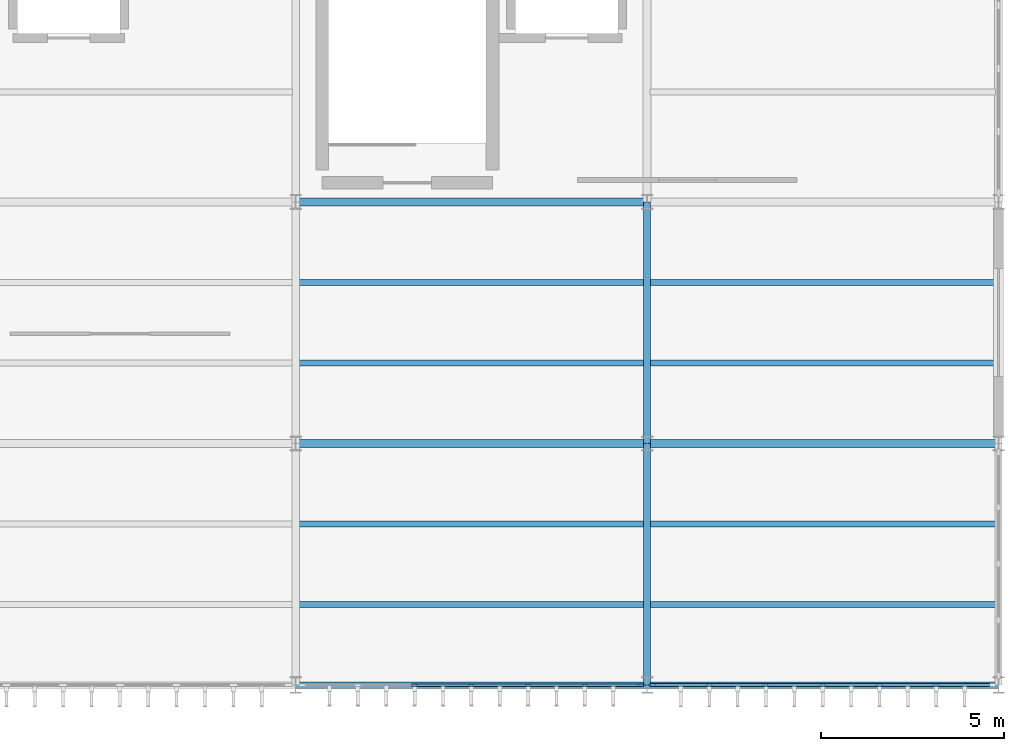
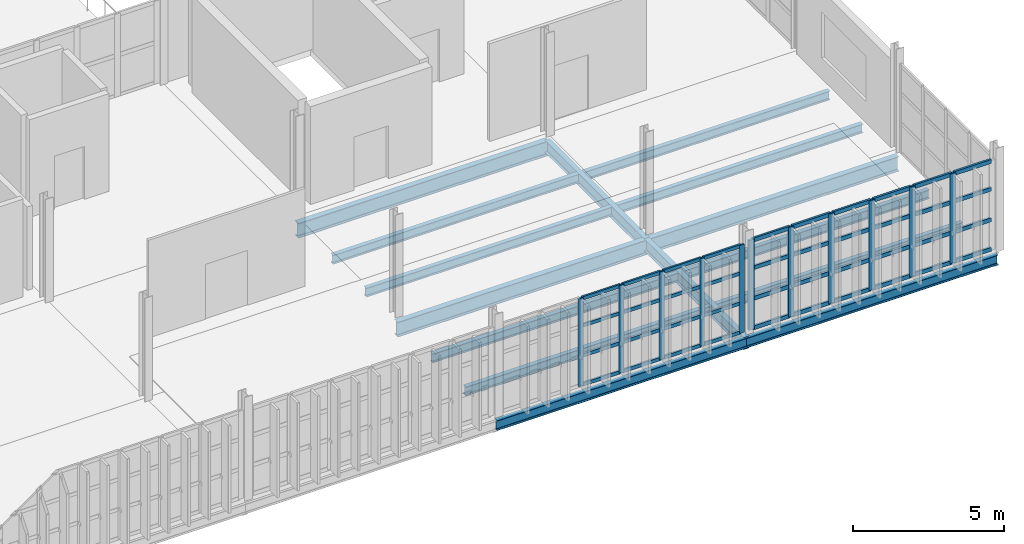
# One storey, part 8 of 38: 51 members, 15 beams, 2 elements without a shape of their own.
"""IFC4 building model written with IfcOpenShell, lengths in metres."""

from ifc_helpers import new_model, si_unit, direction, frame, origin, origin_2d, place, context, subcontext, project, spatial, rectangle, i_section, extrude, material, layer, layer_set, material_profile, profile_set, type_object, element, aggregate, save


model = new_model("IFC4")

# Units and contexts
model_context = context("Model", 3, precision=1e-05, world=origin(), true_north=direction((0.0, 1.0)))
body_context = subcontext(model_context, "Body", "Model", "MODEL_VIEW")
ifc_project = project(units=[si_unit("LENGTHUNIT", "METRE"), si_unit("AREAUNIT", "SQUARE_METRE"), si_unit("VOLUMEUNIT", "CUBIC_METRE"), si_unit("PLANEANGLEUNIT", "RADIAN"), si_unit("MASSUNIT", "GRAM", prefix="KILO")], contexts=[model_context])

# Site, building, storey
site_placement = place(None, origin())
site = spatial("IfcSite", under=ifc_project, at=site_placement, CompositionType="ELEMENT")
building_placement = place(site_placement, origin())
building = spatial("IfcBuilding", under=site, at=building_placement, Name="Zarnetskaya Central Station", CompositionType="ELEMENT")
storey_placement = place(building_placement, frame((0.0, 0.0, 18.60009765625)))
storey = spatial("IfcBuildingStorey", under=building, at=storey_placement, Name="L04", CompositionType="ELEMENT", Elevation=18.60009765625)

# Beams
ifc_material_1 = material(Name="Steel S355", Category="steel")
ifc_material_profile_1 = material_profile(ifc_material_1, i_section(OverallWidth=0.169921875, OverallDepth=0.360107421875, WebThickness=0.008056640625, FlangeThickness=0.0126953125, FilletRadius=0.01806640625, at=origin_2d()), Name="IPE 360")
ifc_profile_set_1 = profile_set([ifc_material_profile_1], Name="Steel S355")
beam_type_1 = type_object("IfcBeamType", Name="BM-SEC-360", PredefinedType="BEAM", material=ifc_profile_set_1)
for number, where, z_axis, x_axis, name in (
    (1, (28.8798828125, 2.199951171875, -0.420166015625), (1.0, 0.0, 0.0), (0.0, 1.0, 0.0), "Secondary floor beam SEC-L04-Z1836-DE-12-1"),
    (2, (28.8798828125, 4.39990234375, -0.420166015625), (1.0, 0.0, 0.0), (0.0, 1.0, 0.0), "Secondary floor beam SEC-L04-Z1836-DE-12-2"),
    (3, (28.8798828125, 8.800048828125, -0.420166015625), (1.0, 0.0, 0.0), (0.0, 1.0, 0.0), "Secondary floor beam SEC-L04-Z1836-DE-23-1"),
    (4, (28.8798828125, 11.0, -0.420166015625), (1.0, 0.0, 0.0), (0.0, 1.0, 0.0), "Secondary floor beam SEC-L04-Z1836-DE-23-2"),
):
    element("IfcBeam", number, at=place(storey_placement, frame(where, z_axis=z_axis, x_axis=x_axis)), inside=storey, type_object=beam_type_1, Name=name, PredefinedType="BEAM", context=body_context, shape_type="SweptSolid", body=[
        extrude(i_section(OverallWidth=0.169921875, OverallDepth=0.360107421875, WebThickness=0.008056640625, FlangeThickness=0.0126953125, FilletRadius=0.01806640625, at=origin_2d()), origin(), (0.0, 0.0, 1.0), 9.440185546875),
    ])
for number, where, z_axis, x_axis, name in (
    (5, (38.47998046875, 2.199951171875, -0.420166015625), (1.0, 0.0, 0.0), (0.0, 1.0, 0.0), "Secondary floor beam SEC-L04-Z1836-EF-12-1"),
    (6, (38.47998046875, 4.39990234375, -0.420166015625), (1.0, 0.0, 0.0), (0.0, 1.0, 0.0), "Secondary floor beam SEC-L04-Z1836-EF-12-2"),
    (7, (38.47998046875, 8.800048828125, -0.420166015625), (1.0, 0.0, 0.0), (0.0, 1.0, 0.0), "Secondary floor beam SEC-L04-Z1836-EF-23-1"),
    (8, (38.47998046875, 11.0, -0.420166015625), (1.0, 0.0, 0.0), (0.0, 1.0, 0.0), "Secondary floor beam SEC-L04-Z1836-EF-23-2"),
):
    element("IfcBeam", number, at=place(storey_placement, frame(where, z_axis=z_axis, x_axis=x_axis)), inside=storey, type_object=beam_type_1, Name=name, PredefinedType="BEAM", context=body_context, shape_type="SweptSolid", body=[
        extrude(i_section(OverallWidth=0.169921875, OverallDepth=0.360107421875, WebThickness=0.008056640625, FlangeThickness=0.0126953125, FilletRadius=0.01806640625, at=origin_2d()), origin(), (0.0, 0.0, 1.0), 9.43994140625),
    ])
ifc_material_profile_2 = material_profile(ifc_material_1, i_section(OverallWidth=0.179931640625, OverallDepth=0.39990234375, WebThickness=0.008544921875, FlangeThickness=0.013427734375, FilletRadius=0.02099609375, at=origin_2d()), Name="IPE 400")
ifc_profile_set_2 = profile_set([ifc_material_profile_2], Name="Steel S355")
beam_type_2 = type_object("IfcBeamType", Name="BM-SPN-V5", PredefinedType="SPANDREL", material=ifc_profile_set_2)
beam_1_placement = place(storey_placement, frame((28.800048828125, 0.0, -0.440185546875), z_axis=(1.0, 0.0, 0.0), x_axis=(0.0, 1.0, 0.0)))
element("IfcBeam", 9, at=beam_1_placement, inside=storey, type_object=beam_type_2, Name="Grid girder GX-L04-1-DE", PredefinedType="SPANDREL", context=body_context, shape_type="SweptSolid", body=[
    extrude(i_section(OverallWidth=0.179931640625, OverallDepth=0.39990234375, WebThickness=0.008544921875, FlangeThickness=0.013427734375, FilletRadius=0.02099609375, at=origin_2d()), origin(), (0.0, 0.0, 1.0), 9.599853515625),
])
beam_2_placement = place(storey_placement, frame((38.39990234375, 0.0, -0.440185546875), z_axis=(1.0, 0.0, 0.0), x_axis=(0.0, 1.0, 0.0)))
element("IfcBeam", 10, at=beam_2_placement, inside=storey, type_object=beam_type_2, Name="Grid girder GX-L04-1-EF", PredefinedType="SPANDREL", context=body_context, shape_type="SweptSolid", body=[
    extrude(i_section(OverallWidth=0.179931640625, OverallDepth=0.39990234375, WebThickness=0.008544921875, FlangeThickness=0.013427734375, FilletRadius=0.02099609375, at=origin_2d()), origin(), (0.0, 0.0, 1.0), 9.60009765625),
])

# Curtain wall, members
ifc_material_2 = material(Name="Low-E insulated glass", Category="glass")
ifc_layer_1 = layer(ifc_material_2, 0.1640625, Name="Low-E insulated glass", Category="glass")
ifc_layer_set_1 = layer_set([ifc_layer_1], Name="Low-E insulated glass")
curtain_wall_type_1 = type_object("IfcCurtainWallType", Name="CW-SYS-07", PredefinedType="USERDEFINED", material=ifc_layer_set_1)
curtain_wall_1_placement = place(storey_placement, origin())
curtain_wall_1 = element("IfcCurtainWall", 11, at=curtain_wall_1_placement, inside=storey, type_object=curtain_wall_type_1, Name="Curtain wall CW-L04-059", ObjectType="CURTAIN WALL", PredefinedType="USERDEFINED")
ifc_material_3 = material(Name="Anodised aluminium", Category="aluminium")
ifc_material_profile_3 = material_profile(ifc_material_3, rectangle(XDim=0.070068359375, YDim=0.179931640625, at=origin_2d()), Name="ALU MULL 70x180")
ifc_profile_set_3 = profile_set([ifc_material_profile_3], Name="Anodised aluminium")
member_type_1 = type_object("IfcMemberType", Name="CW-MULL-180", PredefinedType="MULLION", material=ifc_profile_set_3)
member_1_placement = place(storey_placement, frame((38.215087890625, 0.0, 0.0), z_axis=(0.0, 0.0, 1.0), x_axis=(0.0, -1.0, 0.0)))
member_1 = element("IfcMember", 12, at=member_1_placement, type_object=member_type_1, Name="CW-06 mullion 1", PredefinedType="MULLION", context=body_context, shape_type="SweptSolid", body=[
    extrude(rectangle(XDim=0.070068359375, YDim=0.179931640625, at=origin_2d()), origin(), (0.0, 0.0, 1.0), 3.559814453125),
])
member_2_placement = place(storey_placement, frame((36.699951171875, 0.0, 0.0), z_axis=(0.0, 0.0, 1.0), x_axis=(0.0, -1.0, 0.0)))
member_2 = element("IfcMember", 13, at=member_2_placement, type_object=member_type_1, Name="CW-06 mullion 2", PredefinedType="MULLION", context=body_context, shape_type="SweptSolid", body=[
    extrude(rectangle(XDim=0.070068359375, YDim=0.179931640625, at=origin_2d()), origin(), (0.0, 0.0, 1.0), 3.559814453125),
])
member_3_placement = place(storey_placement, frame((35.14990234375, 0.0, 0.0), z_axis=(0.0, 0.0, 1.0), x_axis=(0.0, -1.0, 0.0)))
member_3 = element("IfcMember", 14, at=member_3_placement, type_object=member_type_1, Name="CW-06 mullion 3", PredefinedType="MULLION", context=body_context, shape_type="SweptSolid", body=[
    extrude(rectangle(XDim=0.070068359375, YDim=0.179931640625, at=origin_2d()), origin(), (0.0, 0.0, 1.0), 3.559814453125),
])
member_4_placement = place(storey_placement, frame((33.60009765625, 0.0, 0.0), z_axis=(0.0, 0.0, 1.0), x_axis=(0.0, -1.0, 0.0)))
member_4 = element("IfcMember", 15, at=member_4_placement, type_object=member_type_1, Name="CW-06 mullion 4", PredefinedType="MULLION", context=body_context, shape_type="SweptSolid", body=[
    extrude(rectangle(XDim=0.070068359375, YDim=0.179931640625, at=origin_2d()), origin(), (0.0, 0.0, 1.0), 3.559814453125),
])
member_5_placement = place(storey_placement, frame((32.050048828125, 0.0, 0.0), z_axis=(0.0, 0.0, 1.0), x_axis=(0.0, -1.0, 0.0)))
member_5 = element("IfcMember", 16, at=member_5_placement, type_object=member_type_1, Name="CW-06 mullion 5", PredefinedType="MULLION", context=body_context, shape_type="SweptSolid", body=[
    extrude(rectangle(XDim=0.070068359375, YDim=0.179931640625, at=origin_2d()), origin(), (0.0, 0.0, 1.0), 3.559814453125),
])

ifc_layer_2 = layer(ifc_material_2, 0.159912109375, Name="Low-E insulated glass", Category="glass")
ifc_layer_set_2 = layer_set([ifc_layer_2], Name="Low-E insulated glass")
curtain_wall_type_2 = type_object("IfcCurtainWallType", Name="CW-SYS-06", PredefinedType="USERDEFINED", material=ifc_layer_set_2)
curtain_wall_2_placement = place(storey_placement, origin())
curtain_wall_2 = element("IfcCurtainWall", 17, at=curtain_wall_2_placement, inside=storey, type_object=curtain_wall_type_2, Name="Curtain wall CW-L04-058", ObjectType="CURTAIN WALL", PredefinedType="USERDEFINED")
ifc_material_profile_4 = material_profile(ifc_material_3, rectangle(XDim=0.080078125, YDim=0.219970703125, at=origin_2d()), Name="ALU MULL 80x220")
ifc_profile_set_4 = profile_set([ifc_material_profile_4], Name="Anodised aluminium")
member_type_2 = type_object("IfcMemberType", Name="CW-MULL-220", PredefinedType="MULLION", material=ifc_profile_set_4)
member_6_placement = place(storey_placement, frame((46.300048828125, 0.0, 0.0), z_axis=(0.0, 0.0, 1.0), x_axis=(0.0, -1.0, 0.0)))
member_6 = element("IfcMember", 18, at=member_6_placement, type_object=member_type_2, Name="CW-02 mullion 2", PredefinedType="MULLION", context=body_context, shape_type="SweptSolid", body=[
    extrude(rectangle(XDim=0.080078125, YDim=0.219970703125, at=origin_2d()), origin(), (0.0, 0.0, 1.0), 3.639892578125),
])
member_7_placement = place(storey_placement, frame((44.75, 0.0, 0.0), z_axis=(0.0, 0.0, 1.0), x_axis=(0.0, -1.0, 0.0)))
member_7 = element("IfcMember", 19, at=member_7_placement, type_object=member_type_2, Name="CW-02 mullion 3", PredefinedType="MULLION", context=body_context, shape_type="SweptSolid", body=[
    extrude(rectangle(XDim=0.080078125, YDim=0.219970703125, at=origin_2d()), origin(), (0.0, 0.0, 1.0), 3.639892578125),
])
member_8_placement = place(storey_placement, frame((43.199951171875, 0.0, 0.0), z_axis=(0.0, 0.0, 1.0), x_axis=(0.0, -1.0, 0.0)))
member_8 = element("IfcMember", 20, at=member_8_placement, type_object=member_type_2, Name="CW-02 mullion 4", PredefinedType="MULLION", context=body_context, shape_type="SweptSolid", body=[
    extrude(rectangle(XDim=0.080078125, YDim=0.219970703125, at=origin_2d()), origin(), (0.0, 0.0, 1.0), 3.639892578125),
])
member_9_placement = place(storey_placement, frame((41.64990234375, 0.0, 0.0), z_axis=(0.0, 0.0, 1.0), x_axis=(0.0, -1.0, 0.0)))
member_9 = element("IfcMember", 21, at=member_9_placement, type_object=member_type_2, Name="CW-02 mullion 5", PredefinedType="MULLION", context=body_context, shape_type="SweptSolid", body=[
    extrude(rectangle(XDim=0.080078125, YDim=0.219970703125, at=origin_2d()), origin(), (0.0, 0.0, 1.0), 3.639892578125),
])
member_10_placement = place(storey_placement, frame((40.10009765625, 0.0, 0.0), z_axis=(0.0, 0.0, 1.0), x_axis=(0.0, -1.0, 0.0)))
member_10 = element("IfcMember", 22, at=member_10_placement, type_object=member_type_2, Name="CW-02 mullion 6", PredefinedType="MULLION", context=body_context, shape_type="SweptSolid", body=[
    extrude(rectangle(XDim=0.080078125, YDim=0.219970703125, at=origin_2d()), origin(), (0.0, 0.0, 1.0), 3.639892578125),
])
member_11_placement = place(storey_placement, frame((38.590087890625, 0.0, 0.0), z_axis=(0.0, 0.0, 1.0), x_axis=(0.0, -1.0, 0.0)))
member_11 = element("IfcMember", 23, at=member_11_placement, type_object=member_type_2, Name="CW-02 mullion 7", PredefinedType="MULLION", context=body_context, shape_type="SweptSolid", body=[
    extrude(rectangle(XDim=0.080078125, YDim=0.219970703125, at=origin_2d()), origin(), (0.0, 0.0, 1.0), 3.639892578125),
])

# Member
ifc_material_profile_5 = material_profile(ifc_material_3, rectangle(XDim=0.070068359375, YDim=0.139892578125, at=origin_2d()), Name="ALU TRAN 70x140")
ifc_profile_set_5 = profile_set([ifc_material_profile_5], Name="Anodised aluminium")
member_type_3 = type_object("IfcMemberType", Name="CW-TRAN-140", PredefinedType="USERDEFINED", material=ifc_profile_set_5)
member_12_placement = place(storey_placement, frame((38.179931640625, 0.0, 0.034912109375), z_axis=(-1.0, 0.0, 0.0), x_axis=(0.0, -1.0, 0.0)))
member_12 = element("IfcMember", 24, at=member_12_placement, type_object=member_type_3, Name="CW-06 transom 1.1", ObjectType="TRANSOM", PredefinedType="USERDEFINED", context=body_context, shape_type="SweptSolid", body=[
    extrude(rectangle(XDim=0.070068359375, YDim=0.139892578125, at=origin_2d()), origin(), (0.0, 0.0, 1.0), 1.44482421875),
])

member_13_placement = place(storey_placement, frame((38.179931640625, 0.0, 1.2099609375), z_axis=(-1.0, 0.0, 0.0), x_axis=(0.0, -1.0, 0.0)))
member_13 = element("IfcMember", 25, at=member_13_placement, type_object=member_type_3, Name="CW-06 transom 1.2", ObjectType="TRANSOM", PredefinedType="USERDEFINED", context=body_context, shape_type="SweptSolid", body=[
    extrude(rectangle(XDim=0.070068359375, YDim=0.139892578125, at=origin_2d()), origin(), (0.0, 0.0, 1.0), 1.44482421875),
])

member_14_placement = place(storey_placement, frame((38.179931640625, 0.0, 2.4208984375), z_axis=(-1.0, 0.0, 0.0), x_axis=(0.0, -1.0, 0.0)))
member_14 = element("IfcMember", 26, at=member_14_placement, type_object=member_type_3, Name="CW-06 transom 1.3", ObjectType="TRANSOM", PredefinedType="USERDEFINED", context=body_context, shape_type="SweptSolid", body=[
    extrude(rectangle(XDim=0.070068359375, YDim=0.139892578125, at=origin_2d()), origin(), (0.0, 0.0, 1.0), 1.44482421875),
])

member_15_placement = place(storey_placement, frame((38.179931640625, 0.0, 3.52490234375), z_axis=(-1.0, 0.0, 0.0), x_axis=(0.0, -1.0, 0.0)))
member_15 = element("IfcMember", 27, at=member_15_placement, type_object=member_type_3, Name="CW-06 transom 1.4", ObjectType="TRANSOM", PredefinedType="USERDEFINED", context=body_context, shape_type="SweptSolid", body=[
    extrude(rectangle(XDim=0.070068359375, YDim=0.139892578125, at=origin_2d()), origin(), (0.0, 0.0, 1.0), 1.44482421875),
])

member_16_placement = place(storey_placement, frame((36.6650390625, 0.0, 0.034912109375), z_axis=(-1.0, 0.0, 0.0), x_axis=(0.0, -1.0, 0.0)))
member_16 = element("IfcMember", 28, at=member_16_placement, type_object=member_type_3, Name="CW-06 transom 2.1", ObjectType="TRANSOM", PredefinedType="USERDEFINED", context=body_context, shape_type="SweptSolid", body=[
    extrude(rectangle(XDim=0.070068359375, YDim=0.139892578125, at=origin_2d()), origin(), (0.0, 0.0, 1.0), 1.47998046875),
])

member_17_placement = place(storey_placement, frame((36.6650390625, 0.0, 1.2099609375), z_axis=(-1.0, 0.0, 0.0), x_axis=(0.0, -1.0, 0.0)))
member_17 = element("IfcMember", 29, at=member_17_placement, type_object=member_type_3, Name="CW-06 transom 2.2", ObjectType="TRANSOM", PredefinedType="USERDEFINED", context=body_context, shape_type="SweptSolid", body=[
    extrude(rectangle(XDim=0.070068359375, YDim=0.139892578125, at=origin_2d()), origin(), (0.0, 0.0, 1.0), 1.47998046875),
])

member_18_placement = place(storey_placement, frame((36.6650390625, 0.0, 2.4208984375), z_axis=(-1.0, 0.0, 0.0), x_axis=(0.0, -1.0, 0.0)))
member_18 = element("IfcMember", 30, at=member_18_placement, type_object=member_type_3, Name="CW-06 transom 2.3", ObjectType="TRANSOM", PredefinedType="USERDEFINED", context=body_context, shape_type="SweptSolid", body=[
    extrude(rectangle(XDim=0.070068359375, YDim=0.139892578125, at=origin_2d()), origin(), (0.0, 0.0, 1.0), 1.47998046875),
])

member_19_placement = place(storey_placement, frame((36.6650390625, 0.0, 3.52490234375), z_axis=(-1.0, 0.0, 0.0), x_axis=(0.0, -1.0, 0.0)))
member_19 = element("IfcMember", 31, at=member_19_placement, type_object=member_type_3, Name="CW-06 transom 2.4", ObjectType="TRANSOM", PredefinedType="USERDEFINED", context=body_context, shape_type="SweptSolid", body=[
    extrude(rectangle(XDim=0.070068359375, YDim=0.139892578125, at=origin_2d()), origin(), (0.0, 0.0, 1.0), 1.47998046875),
])

member_20_placement = place(storey_placement, frame((35.114990234375, 0.0, 0.034912109375), z_axis=(-1.0, 0.0, 0.0), x_axis=(0.0, -1.0, 0.0)))
member_20 = element("IfcMember", 32, at=member_20_placement, type_object=member_type_3, Name="CW-06 transom 3.1", ObjectType="TRANSOM", PredefinedType="USERDEFINED", context=body_context, shape_type="SweptSolid", body=[
    extrude(rectangle(XDim=0.070068359375, YDim=0.139892578125, at=origin_2d()), origin(), (0.0, 0.0, 1.0), 1.47998046875),
])

member_21_placement = place(storey_placement, frame((35.114990234375, 0.0, 1.2099609375), z_axis=(-1.0, 0.0, 0.0), x_axis=(0.0, -1.0, 0.0)))
member_21 = element("IfcMember", 33, at=member_21_placement, type_object=member_type_3, Name="CW-06 transom 3.2", ObjectType="TRANSOM", PredefinedType="USERDEFINED", context=body_context, shape_type="SweptSolid", body=[
    extrude(rectangle(XDim=0.070068359375, YDim=0.139892578125, at=origin_2d()), origin(), (0.0, 0.0, 1.0), 1.47998046875),
])

member_22_placement = place(storey_placement, frame((35.114990234375, 0.0, 2.4208984375), z_axis=(-1.0, 0.0, 0.0), x_axis=(0.0, -1.0, 0.0)))
member_22 = element("IfcMember", 34, at=member_22_placement, type_object=member_type_3, Name="CW-06 transom 3.3", ObjectType="TRANSOM", PredefinedType="USERDEFINED", context=body_context, shape_type="SweptSolid", body=[
    extrude(rectangle(XDim=0.070068359375, YDim=0.139892578125, at=origin_2d()), origin(), (0.0, 0.0, 1.0), 1.47998046875),
])

member_23_placement = place(storey_placement, frame((35.114990234375, 0.0, 3.52490234375), z_axis=(-1.0, 0.0, 0.0), x_axis=(0.0, -1.0, 0.0)))
member_23 = element("IfcMember", 35, at=member_23_placement, type_object=member_type_3, Name="CW-06 transom 3.4", ObjectType="TRANSOM", PredefinedType="USERDEFINED", context=body_context, shape_type="SweptSolid", body=[
    extrude(rectangle(XDim=0.070068359375, YDim=0.139892578125, at=origin_2d()), origin(), (0.0, 0.0, 1.0), 1.47998046875),
])

member_24_placement = place(storey_placement, frame((33.56494140625, 0.0, 0.034912109375), z_axis=(-1.0, 0.0, 0.0), x_axis=(0.0, -1.0, 0.0)))
member_24 = element("IfcMember", 36, at=member_24_placement, type_object=member_type_3, Name="CW-06 transom 4.1", ObjectType="TRANSOM", PredefinedType="USERDEFINED", context=body_context, shape_type="SweptSolid", body=[
    extrude(rectangle(XDim=0.070068359375, YDim=0.139892578125, at=origin_2d()), origin(), (0.0, 0.0, 1.0), 1.47998046875),
])

member_25_placement = place(storey_placement, frame((33.56494140625, 0.0, 1.2099609375), z_axis=(-1.0, 0.0, 0.0), x_axis=(0.0, -1.0, 0.0)))
member_25 = element("IfcMember", 37, at=member_25_placement, type_object=member_type_3, Name="CW-06 transom 4.2", ObjectType="TRANSOM", PredefinedType="USERDEFINED", context=body_context, shape_type="SweptSolid", body=[
    extrude(rectangle(XDim=0.070068359375, YDim=0.139892578125, at=origin_2d()), origin(), (0.0, 0.0, 1.0), 1.47998046875),
])

member_26_placement = place(storey_placement, frame((33.56494140625, 0.0, 2.4208984375), z_axis=(-1.0, 0.0, 0.0), x_axis=(0.0, -1.0, 0.0)))
member_26 = element("IfcMember", 38, at=member_26_placement, type_object=member_type_3, Name="CW-06 transom 4.3", ObjectType="TRANSOM", PredefinedType="USERDEFINED", context=body_context, shape_type="SweptSolid", body=[
    extrude(rectangle(XDim=0.070068359375, YDim=0.139892578125, at=origin_2d()), origin(), (0.0, 0.0, 1.0), 1.47998046875),
])

member_27_placement = place(storey_placement, frame((33.56494140625, 0.0, 3.52490234375), z_axis=(-1.0, 0.0, 0.0), x_axis=(0.0, -1.0, 0.0)))
member_27 = element("IfcMember", 39, at=member_27_placement, type_object=member_type_3, Name="CW-06 transom 4.4", ObjectType="TRANSOM", PredefinedType="USERDEFINED", context=body_context, shape_type="SweptSolid", body=[
    extrude(rectangle(XDim=0.070068359375, YDim=0.139892578125, at=origin_2d()), origin(), (0.0, 0.0, 1.0), 1.47998046875),
])

aggregate(curtain_wall_1, [member_1, member_2, member_3, member_4, member_5, member_12, member_13, member_14, member_15, member_16, member_17, member_18, member_19, member_20, member_21, member_22, member_23, member_24, member_25, member_26, member_27])

ifc_material_profile_6 = material_profile(ifc_material_3, rectangle(XDim=0.080078125, YDim=0.159912109375, at=origin_2d()), Name="ALU TRAN 80x160")
ifc_profile_set_6 = profile_set([ifc_material_profile_6], Name="Anodised aluminium")
member_type_4 = type_object("IfcMemberType", Name="CW-TRAN-160", PredefinedType="USERDEFINED", material=ifc_profile_set_6)
member_28_placement = place(storey_placement, frame((47.77001953125, 0.0, 0.039794921875), z_axis=(-1.0, 0.0, 0.0), x_axis=(0.0, -1.0, 0.0)))
member_28 = element("IfcMember", 40, at=member_28_placement, type_object=member_type_4, Name="CW-02 transom 1.1", ObjectType="TRANSOM", PredefinedType="USERDEFINED", context=body_context, shape_type="SweptSolid", body=[
    extrude(rectangle(XDim=0.080078125, YDim=0.159912109375, at=origin_2d()), origin(), (0.0, 0.0, 1.0), 1.429931640625),
])

member_29_placement = place(storey_placement, frame((47.77001953125, 0.0, 1.23779296875), z_axis=(-1.0, 0.0, 0.0), x_axis=(0.0, -1.0, 0.0)))
member_29 = element("IfcMember", 41, at=member_29_placement, type_object=member_type_4, Name="CW-02 transom 1.2", ObjectType="TRANSOM", PredefinedType="USERDEFINED", context=body_context, shape_type="SweptSolid", body=[
    extrude(rectangle(XDim=0.080078125, YDim=0.159912109375, at=origin_2d()), origin(), (0.0, 0.0, 1.0), 1.429931640625),
])

member_30_placement = place(storey_placement, frame((47.77001953125, 0.0, 2.474853515625), z_axis=(-1.0, 0.0, 0.0), x_axis=(0.0, -1.0, 0.0)))
member_30 = element("IfcMember", 42, at=member_30_placement, type_object=member_type_4, Name="CW-02 transom 1.3", ObjectType="TRANSOM", PredefinedType="USERDEFINED", context=body_context, shape_type="SweptSolid", body=[
    extrude(rectangle(XDim=0.080078125, YDim=0.159912109375, at=origin_2d()), origin(), (0.0, 0.0, 1.0), 1.429931640625),
])

member_31_placement = place(storey_placement, frame((47.77001953125, 0.0, 3.599853515625), z_axis=(-1.0, 0.0, 0.0), x_axis=(0.0, -1.0, 0.0)))
member_31 = element("IfcMember", 43, at=member_31_placement, type_object=member_type_4, Name="CW-02 transom 1.4", ObjectType="TRANSOM", PredefinedType="USERDEFINED", context=body_context, shape_type="SweptSolid", body=[
    extrude(rectangle(XDim=0.080078125, YDim=0.159912109375, at=origin_2d()), origin(), (0.0, 0.0, 1.0), 1.429931640625),
])

member_32_placement = place(storey_placement, frame((46.260009765625, 0.0, 0.039794921875), z_axis=(-1.0, 0.0, 0.0), x_axis=(0.0, -1.0, 0.0)))
member_32 = element("IfcMember", 44, at=member_32_placement, type_object=member_type_4, Name="CW-02 transom 2.1", ObjectType="TRANSOM", PredefinedType="USERDEFINED", context=body_context, shape_type="SweptSolid", body=[
    extrude(rectangle(XDim=0.080078125, YDim=0.159912109375, at=origin_2d()), origin(), (0.0, 0.0, 1.0), 1.469970703125),
])

member_33_placement = place(storey_placement, frame((46.260009765625, 0.0, 1.23779296875), z_axis=(-1.0, 0.0, 0.0), x_axis=(0.0, -1.0, 0.0)))
member_33 = element("IfcMember", 45, at=member_33_placement, type_object=member_type_4, Name="CW-02 transom 2.2", ObjectType="TRANSOM", PredefinedType="USERDEFINED", context=body_context, shape_type="SweptSolid", body=[
    extrude(rectangle(XDim=0.080078125, YDim=0.159912109375, at=origin_2d()), origin(), (0.0, 0.0, 1.0), 1.469970703125),
])

member_34_placement = place(storey_placement, frame((46.260009765625, 0.0, 2.474853515625), z_axis=(-1.0, 0.0, 0.0), x_axis=(0.0, -1.0, 0.0)))
member_34 = element("IfcMember", 46, at=member_34_placement, type_object=member_type_4, Name="CW-02 transom 2.3", ObjectType="TRANSOM", PredefinedType="USERDEFINED", context=body_context, shape_type="SweptSolid", body=[
    extrude(rectangle(XDim=0.080078125, YDim=0.159912109375, at=origin_2d()), origin(), (0.0, 0.0, 1.0), 1.469970703125),
])

member_35_placement = place(storey_placement, frame((46.260009765625, 0.0, 3.599853515625), z_axis=(-1.0, 0.0, 0.0), x_axis=(0.0, -1.0, 0.0)))
member_35 = element("IfcMember", 47, at=member_35_placement, type_object=member_type_4, Name="CW-02 transom 2.4", ObjectType="TRANSOM", PredefinedType="USERDEFINED", context=body_context, shape_type="SweptSolid", body=[
    extrude(rectangle(XDim=0.080078125, YDim=0.159912109375, at=origin_2d()), origin(), (0.0, 0.0, 1.0), 1.469970703125),
])

member_36_placement = place(storey_placement, frame((44.7099609375, 0.0, 0.039794921875), z_axis=(-1.0, 0.0, 0.0), x_axis=(0.0, -1.0, 0.0)))
member_36 = element("IfcMember", 48, at=member_36_placement, type_object=member_type_4, Name="CW-02 transom 3.1", ObjectType="TRANSOM", PredefinedType="USERDEFINED", context=body_context, shape_type="SweptSolid", body=[
    extrude(rectangle(XDim=0.080078125, YDim=0.159912109375, at=origin_2d()), origin(), (0.0, 0.0, 1.0), 1.469970703125),
])

member_37_placement = place(storey_placement, frame((44.7099609375, 0.0, 1.23779296875), z_axis=(-1.0, 0.0, 0.0), x_axis=(0.0, -1.0, 0.0)))
member_37 = element("IfcMember", 49, at=member_37_placement, type_object=member_type_4, Name="CW-02 transom 3.2", ObjectType="TRANSOM", PredefinedType="USERDEFINED", context=body_context, shape_type="SweptSolid", body=[
    extrude(rectangle(XDim=0.080078125, YDim=0.159912109375, at=origin_2d()), origin(), (0.0, 0.0, 1.0), 1.469970703125),
])

member_38_placement = place(storey_placement, frame((44.7099609375, 0.0, 2.474853515625), z_axis=(-1.0, 0.0, 0.0), x_axis=(0.0, -1.0, 0.0)))
member_38 = element("IfcMember", 50, at=member_38_placement, type_object=member_type_4, Name="CW-02 transom 3.3", ObjectType="TRANSOM", PredefinedType="USERDEFINED", context=body_context, shape_type="SweptSolid", body=[
    extrude(rectangle(XDim=0.080078125, YDim=0.159912109375, at=origin_2d()), origin(), (0.0, 0.0, 1.0), 1.469970703125),
])

member_39_placement = place(storey_placement, frame((44.7099609375, 0.0, 3.599853515625), z_axis=(-1.0, 0.0, 0.0), x_axis=(0.0, -1.0, 0.0)))
member_39 = element("IfcMember", 51, at=member_39_placement, type_object=member_type_4, Name="CW-02 transom 3.4", ObjectType="TRANSOM", PredefinedType="USERDEFINED", context=body_context, shape_type="SweptSolid", body=[
    extrude(rectangle(XDim=0.080078125, YDim=0.159912109375, at=origin_2d()), origin(), (0.0, 0.0, 1.0), 1.469970703125),
])

member_40_placement = place(storey_placement, frame((43.159912109375, 0.0, 0.039794921875), z_axis=(-1.0, 0.0, 0.0), x_axis=(0.0, -1.0, 0.0)))
member_40 = element("IfcMember", 52, at=member_40_placement, type_object=member_type_4, Name="CW-02 transom 4.1", ObjectType="TRANSOM", PredefinedType="USERDEFINED", context=body_context, shape_type="SweptSolid", body=[
    extrude(rectangle(XDim=0.080078125, YDim=0.159912109375, at=origin_2d()), origin(), (0.0, 0.0, 1.0), 1.469970703125),
])

member_41_placement = place(storey_placement, frame((43.159912109375, 0.0, 1.23779296875), z_axis=(-1.0, 0.0, 0.0), x_axis=(0.0, -1.0, 0.0)))
member_41 = element("IfcMember", 53, at=member_41_placement, type_object=member_type_4, Name="CW-02 transom 4.2", ObjectType="TRANSOM", PredefinedType="USERDEFINED", context=body_context, shape_type="SweptSolid", body=[
    extrude(rectangle(XDim=0.080078125, YDim=0.159912109375, at=origin_2d()), origin(), (0.0, 0.0, 1.0), 1.469970703125),
])

member_42_placement = place(storey_placement, frame((43.159912109375, 0.0, 2.474853515625), z_axis=(-1.0, 0.0, 0.0), x_axis=(0.0, -1.0, 0.0)))
member_42 = element("IfcMember", 54, at=member_42_placement, type_object=member_type_4, Name="CW-02 transom 4.3", ObjectType="TRANSOM", PredefinedType="USERDEFINED", context=body_context, shape_type="SweptSolid", body=[
    extrude(rectangle(XDim=0.080078125, YDim=0.159912109375, at=origin_2d()), origin(), (0.0, 0.0, 1.0), 1.469970703125),
])

member_43_placement = place(storey_placement, frame((43.159912109375, 0.0, 3.599853515625), z_axis=(-1.0, 0.0, 0.0), x_axis=(0.0, -1.0, 0.0)))
member_43 = element("IfcMember", 55, at=member_43_placement, type_object=member_type_4, Name="CW-02 transom 4.4", ObjectType="TRANSOM", PredefinedType="USERDEFINED", context=body_context, shape_type="SweptSolid", body=[
    extrude(rectangle(XDim=0.080078125, YDim=0.159912109375, at=origin_2d()), origin(), (0.0, 0.0, 1.0), 1.469970703125),
])

member_44_placement = place(storey_placement, frame((41.610107421875, 0.0, 0.039794921875), z_axis=(-1.0, 0.0, 0.0), x_axis=(0.0, -1.0, 0.0)))
member_44 = element("IfcMember", 56, at=member_44_placement, type_object=member_type_4, Name="CW-02 transom 5.1", ObjectType="TRANSOM", PredefinedType="USERDEFINED", context=body_context, shape_type="SweptSolid", body=[
    extrude(rectangle(XDim=0.080078125, YDim=0.159912109375, at=origin_2d()), origin(), (0.0, 0.0, 1.0), 1.47021484375),
])

member_45_placement = place(storey_placement, frame((41.610107421875, 0.0, 1.23779296875), z_axis=(-1.0, 0.0, 0.0), x_axis=(0.0, -1.0, 0.0)))
member_45 = element("IfcMember", 57, at=member_45_placement, type_object=member_type_4, Name="CW-02 transom 5.2", ObjectType="TRANSOM", PredefinedType="USERDEFINED", context=body_context, shape_type="SweptSolid", body=[
    extrude(rectangle(XDim=0.080078125, YDim=0.159912109375, at=origin_2d()), origin(), (0.0, 0.0, 1.0), 1.47021484375),
])

member_46_placement = place(storey_placement, frame((41.610107421875, 0.0, 2.474853515625), z_axis=(-1.0, 0.0, 0.0), x_axis=(0.0, -1.0, 0.0)))
member_46 = element("IfcMember", 58, at=member_46_placement, type_object=member_type_4, Name="CW-02 transom 5.3", ObjectType="TRANSOM", PredefinedType="USERDEFINED", context=body_context, shape_type="SweptSolid", body=[
    extrude(rectangle(XDim=0.080078125, YDim=0.159912109375, at=origin_2d()), origin(), (0.0, 0.0, 1.0), 1.47021484375),
])

member_47_placement = place(storey_placement, frame((41.610107421875, 0.0, 3.599853515625), z_axis=(-1.0, 0.0, 0.0), x_axis=(0.0, -1.0, 0.0)))
member_47 = element("IfcMember", 59, at=member_47_placement, type_object=member_type_4, Name="CW-02 transom 5.4", ObjectType="TRANSOM", PredefinedType="USERDEFINED", context=body_context, shape_type="SweptSolid", body=[
    extrude(rectangle(XDim=0.080078125, YDim=0.159912109375, at=origin_2d()), origin(), (0.0, 0.0, 1.0), 1.47021484375),
])

member_48_placement = place(storey_placement, frame((40.06005859375, 0.0, 0.039794921875), z_axis=(-1.0, 0.0, 0.0), x_axis=(0.0, -1.0, 0.0)))
member_48 = element("IfcMember", 60, at=member_48_placement, type_object=member_type_4, Name="CW-02 transom 6.1", ObjectType="TRANSOM", PredefinedType="USERDEFINED", context=body_context, shape_type="SweptSolid", body=[
    extrude(rectangle(XDim=0.080078125, YDim=0.159912109375, at=origin_2d()), origin(), (0.0, 0.0, 1.0), 1.43017578125),
])

member_49_placement = place(storey_placement, frame((40.06005859375, 0.0, 1.23779296875), z_axis=(-1.0, 0.0, 0.0), x_axis=(0.0, -1.0, 0.0)))
member_49 = element("IfcMember", 61, at=member_49_placement, type_object=member_type_4, Name="CW-02 transom 6.2", ObjectType="TRANSOM", PredefinedType="USERDEFINED", context=body_context, shape_type="SweptSolid", body=[
    extrude(rectangle(XDim=0.080078125, YDim=0.159912109375, at=origin_2d()), origin(), (0.0, 0.0, 1.0), 1.43017578125),
])

member_50_placement = place(storey_placement, frame((40.06005859375, 0.0, 2.474853515625), z_axis=(-1.0, 0.0, 0.0), x_axis=(0.0, -1.0, 0.0)))
member_50 = element("IfcMember", 62, at=member_50_placement, type_object=member_type_4, Name="CW-02 transom 6.3", ObjectType="TRANSOM", PredefinedType="USERDEFINED", context=body_context, shape_type="SweptSolid", body=[
    extrude(rectangle(XDim=0.080078125, YDim=0.159912109375, at=origin_2d()), origin(), (0.0, 0.0, 1.0), 1.43017578125),
])

member_51_placement = place(storey_placement, frame((40.06005859375, 0.0, 3.599853515625), z_axis=(-1.0, 0.0, 0.0), x_axis=(0.0, -1.0, 0.0)))
member_51 = element("IfcMember", 63, at=member_51_placement, type_object=member_type_4, Name="CW-02 transom 6.4", ObjectType="TRANSOM", PredefinedType="USERDEFINED", context=body_context, shape_type="SweptSolid", body=[
    extrude(rectangle(XDim=0.080078125, YDim=0.159912109375, at=origin_2d()), origin(), (0.0, 0.0, 1.0), 1.43017578125),
])

aggregate(curtain_wall_2, [member_6, member_7, member_8, member_9, member_10, member_11, member_28, member_29, member_30, member_31, member_32, member_33, member_34, member_35, member_36, member_37, member_38, member_39, member_40, member_41, member_42, member_43, member_44, member_45, member_46, member_47, member_48, member_49, member_50, member_51])

# Beams
ifc_material_profile_7 = material_profile(ifc_material_1, i_section(OverallWidth=0.199951171875, OverallDepth=0.5, WebThickness=0.01025390625, FlangeThickness=0.01611328125, FilletRadius=0.02099609375, at=origin_2d()), Name="IPE 500")
ifc_profile_set_7 = profile_set([ifc_material_profile_7], Name="Steel S355")
beam_type_3 = type_object("IfcBeamType", Name="GD-FLR-500", PredefinedType="USERDEFINED", material=ifc_profile_set_7)
beam_3_placement = place(storey_placement, frame((38.39990234375, 0.0, -0.489990234375), z_axis=(0.0, 1.0, 0.0), x_axis=(-1.0, 0.0, 0.0)))
element("IfcBeam", 64, at=beam_3_placement, inside=storey, type_object=beam_type_3, Name="Grid girder GY-L04-E-12", ObjectType="GIRDER", PredefinedType="USERDEFINED", context=body_context, shape_type="SweptSolid", body=[
    extrude(i_section(OverallWidth=0.199951171875, OverallDepth=0.5, WebThickness=0.01025390625, FlangeThickness=0.01611328125, FilletRadius=0.02099609375, at=origin_2d()), origin(), (0.0, 0.0, 1.0), 6.60009765625),
])
beam_4_placement = place(storey_placement, frame((38.39990234375, 6.60009765625, -0.489990234375), z_axis=(0.0, 1.0, 0.0), x_axis=(-1.0, 0.0, 0.0)))
element("IfcBeam", 65, at=beam_4_placement, inside=storey, type_object=beam_type_3, Name="Grid girder GY-L04-E-23", ObjectType="GIRDER", PredefinedType="USERDEFINED", context=body_context, shape_type="SweptSolid", body=[
    extrude(i_section(OverallWidth=0.199951171875, OverallDepth=0.5, WebThickness=0.01025390625, FlangeThickness=0.01611328125, FilletRadius=0.02099609375, at=origin_2d()), origin(), (0.0, 0.0, 1.0), 6.599853515625),
])
ifc_material_profile_8 = material_profile(ifc_material_1, i_section(OverallWidth=0.219970703125, OverallDepth=0.60009765625, WebThickness=0.011962890625, FlangeThickness=0.01904296875, FilletRadius=0.02392578125, at=origin_2d()), Name="IPE 600")
ifc_profile_set_8 = profile_set([ifc_material_profile_8], Name="Steel S355")
beam_type_4 = type_object("IfcBeamType", Name="GD-FLR-600", PredefinedType="USERDEFINED", material=ifc_profile_set_8)
for number, where, z_axis, x_axis, name in (
    (66, (28.800048828125, 6.60009765625, -0.5400390625), (1.0, 0.0, 0.0), (0.0, 1.0, 0.0), "Grid girder GX-L04-2-DE"),
    (67, (28.800048828125, 13.199951171875, -0.5400390625), (1.0, 0.0, 0.0), (0.0, 1.0, 0.0), "Grid girder GX-L04-3-DE"),
):
    element("IfcBeam", number, at=place(storey_placement, frame(where, z_axis=z_axis, x_axis=x_axis)), inside=storey, type_object=beam_type_4, Name=name, ObjectType="GIRDER", PredefinedType="USERDEFINED", context=body_context, shape_type="SweptSolid", body=[
        extrude(i_section(OverallWidth=0.219970703125, OverallDepth=0.60009765625, WebThickness=0.011962890625, FlangeThickness=0.01904296875, FilletRadius=0.02392578125, at=origin_2d()), origin(), (0.0, 0.0, 1.0), 9.599853515625),
    ])
beam_5_placement = place(storey_placement, frame((38.39990234375, 6.60009765625, -0.5400390625), z_axis=(1.0, 0.0, 0.0), x_axis=(0.0, 1.0, 0.0)))
element("IfcBeam", 68, at=beam_5_placement, inside=storey, type_object=beam_type_4, Name="Grid girder GX-L04-2-EF", ObjectType="GIRDER", PredefinedType="USERDEFINED", context=body_context, shape_type="SweptSolid", body=[
    extrude(i_section(OverallWidth=0.219970703125, OverallDepth=0.60009765625, WebThickness=0.011962890625, FlangeThickness=0.01904296875, FilletRadius=0.02392578125, at=origin_2d()), origin(), (0.0, 0.0, 1.0), 9.60009765625),
])

save(model, "model.ifc")
